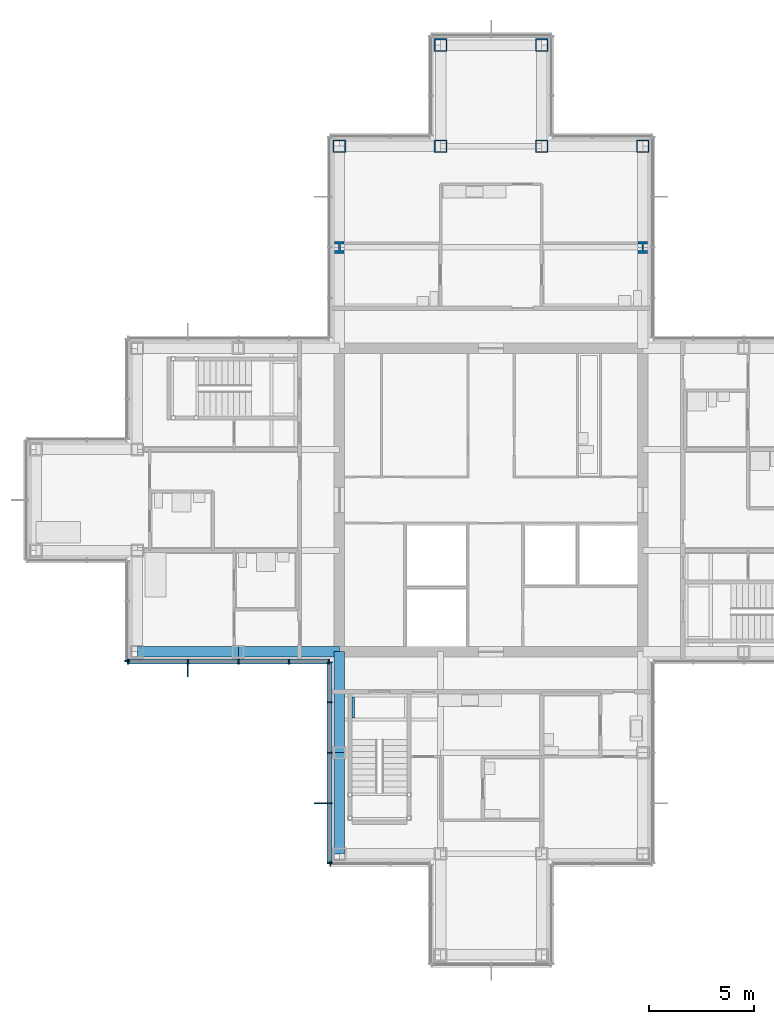
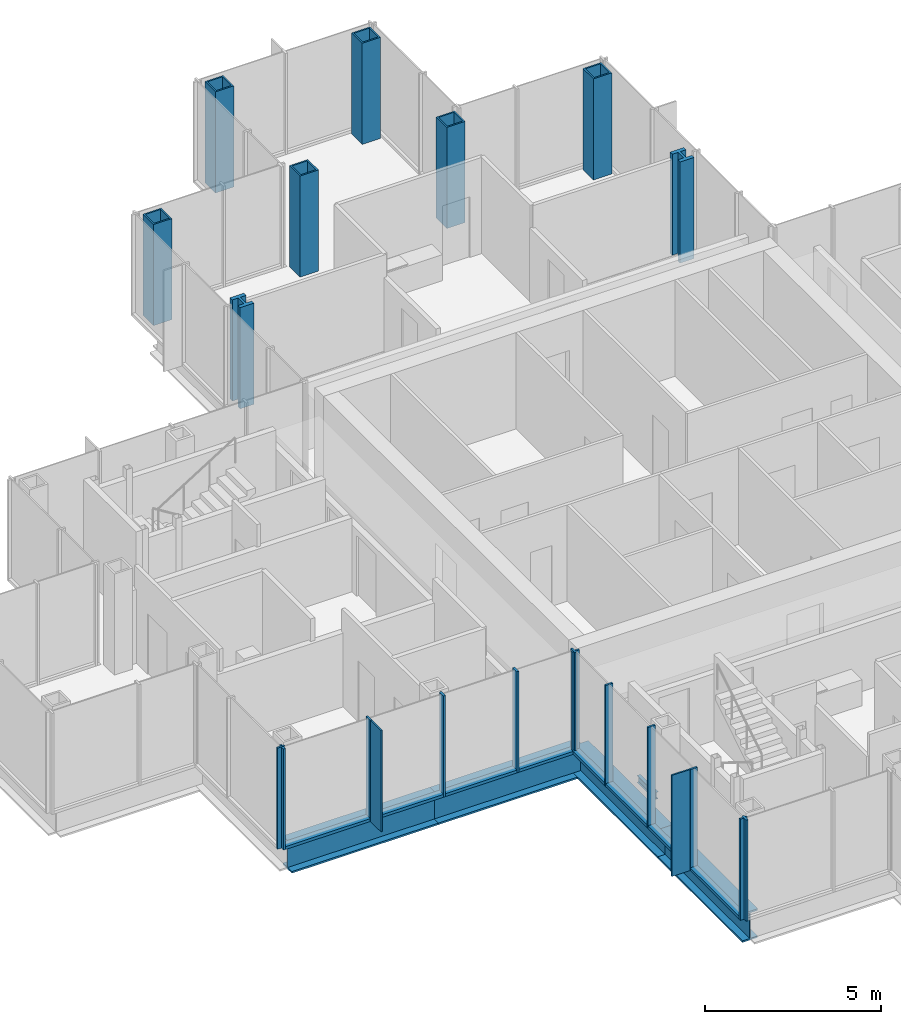
# One storey, part 5 of 17: 22 members, 8 columns, 5 beams, 4 elements without a shape of their own.
"""IFC4 building model written with IfcOpenShell, lengths in metres."""

from ifc_helpers import new_model, si_unit, direction, frame, origin, origin_2d, place, context, subcontext, project, spatial, rectangle, hollow_rectangle, i_section, extrude, material, material_profile, profile_set, type_object, element, aggregate, save


model = new_model("IFC4")

# Units and contexts
model_context = context("Model", 3, precision=1e-05, world=origin(), true_north=direction((0.0, 1.0)))
body_context = subcontext(model_context, "Body", "Model", "MODEL_VIEW")
ifc_project = project(units=[si_unit("LENGTHUNIT", "METRE"), si_unit("AREAUNIT", "SQUARE_METRE"), si_unit("VOLUMEUNIT", "CUBIC_METRE"), si_unit("PLANEANGLEUNIT", "RADIAN"), si_unit("MASSUNIT", "GRAM", prefix="KILO")], contexts=[model_context])

# Site, building, storey
site_placement = place(None, origin())
site = spatial("IfcSite", under=ifc_project, at=site_placement, CompositionType="ELEMENT")
building_placement = place(site_placement, origin())
building = spatial("IfcBuilding", under=site, at=building_placement, Name="Kvirike Care Tower", CompositionType="ELEMENT")
storey_placement = place(building_placement, frame((0.0, 0.0, 155.0)))
storey = spatial("IfcBuildingStorey", under=building, at=storey_placement, Name="L42", CompositionType="ELEMENT", Elevation=155.0)

# Columns
ifc_material_1 = material(Name="Steel S460", Category="steel")
ifc_material_profile_1 = material_profile(ifc_material_1, hollow_rectangle(XDim=0.60009765625, YDim=0.60009765625, WallThickness=0.050048828125, at=origin_2d()), Name="BX 600x600x50")
ifc_profile_set_1 = profile_set([ifc_material_profile_1], Name="Steel S460")
column_type_1 = type_object("IfcColumnType", Name="COLUMN BX 600x600x50", PredefinedType="COLUMN", material=ifc_profile_set_1)
for number, where, z_axis, x_axis, name in (
    (1, (14.39990234375, 52.800048828125, 0.0), (0.0, 0.0, 1.0), (0.0, 1.0, 0.0), "Column M6 L42"),
    (2, (19.199951171875, 52.800048828125, 0.0), (0.0, 0.0, 1.0), (0.0, 1.0, 0.0), "Column M7 L42"),
    (3, (19.199951171875, 57.60009765625, 0.0), (0.0, 0.0, 1.0), (0.0, 1.0, 0.0), "Column N7 L42"),
    (4, (24.0, 52.800048828125, 0.0), (0.0, 0.0, 1.0), (0.0, 1.0, 0.0), "Column M8 L42"),
    (5, (24.0, 57.60009765625, 0.0), (0.0, 0.0, 1.0), (0.0, 1.0, 0.0), "Column N8 L42"),
    (6, (28.800048828125, 52.800048828125, 0.0), (0.0, 0.0, 1.0), (0.0, 1.0, 0.0), "Column M9 L42"),
):
    element("IfcColumn", number, at=place(storey_placement, frame(where, z_axis=z_axis, x_axis=x_axis)), inside=storey, type_object=column_type_1, Name=name, PredefinedType="COLUMN", context=body_context, shape_type="SweptSolid", body=[
        extrude(hollow_rectangle(XDim=0.60009765625, YDim=0.60009765625, WallThickness=0.050048828125, at=origin_2d()), origin(), (0.0, 0.0, 1.0), 3.5),
    ])
ifc_material_2 = material(Name="Steel S460", Category="steel")
ifc_material_profile_2 = material_profile(ifc_material_2, i_section(OverallWidth=0.4541015625, OverallDepth=0.569091796875, WebThickness=0.077880859375, FlangeThickness=0.125, FilletRadius=0.014892578125, at=origin_2d()), Name="HD 400x1086")
ifc_profile_set_2 = profile_set([ifc_material_profile_2], Name="Steel S460")
column_type_2 = type_object("IfcColumnType", Name="COLUMN HD 400x1086", PredefinedType="COLUMN", material=ifc_profile_set_2)
for number, where, z_axis, x_axis, name in (
    (7, (14.39990234375, 48.0, 0.0), (0.0, 0.0, 1.0), (1.0, 0.0, 0.0), "Column L6 L42"),
    (8, (28.800048828125, 48.0, 0.0), (0.0, 0.0, 1.0), (1.0, 0.0, 0.0), "Column L9 L42"),
):
    element("IfcColumn", number, at=place(storey_placement, frame(where, z_axis=z_axis, x_axis=x_axis)), inside=storey, type_object=column_type_2, Name=name, PredefinedType="COLUMN", context=body_context, shape_type="SweptSolid", body=[
        extrude(i_section(OverallWidth=0.4541015625, OverallDepth=0.569091796875, WebThickness=0.077880859375, FlangeThickness=0.125, FilletRadius=0.014892578125, at=origin_2d()), origin(), (0.0, 0.0, 1.0), 3.5),
    ])

# Curtain wall, member
ifc_material_3 = material(Name="Anodised aluminium stick system", Category="aluminium")
curtain_wall_type = type_object("IfcCurtainWallType", Name="CW-C STICK CURTAIN WALL", PredefinedType="NOTDEFINED", material=ifc_material_3)
curtain_wall_1_placement = place(storey_placement, origin())
curtain_wall_1 = element("IfcCurtainWall", 9, at=curtain_wall_1_placement, inside=storey, type_object=curtain_wall_type, Name="Curtain wall L42 face 21", PredefinedType="NOTDEFINED")
ifc_material_4 = material(Name="Bronze anodised aluminium fin", Category="aluminium")
ifc_material_profile_3 = material_profile(ifc_material_4, rectangle(XDim=0.050048828125, YDim=0.60009765625, at=origin_2d()), Name="BRONZE FIN 600")
ifc_profile_set_3 = profile_set([ifc_material_profile_3], Name="Bronze anodised aluminium fin")
member_type_1 = type_object("IfcMemberType", Name="BRONZE FIN 600", PredefinedType="USERDEFINED", material=ifc_profile_set_3)
member_1_placement = place(storey_placement, frame((7.199951171875, 27.909912109375, 0.0), z_axis=(0.0, 0.0, 1.0), x_axis=(1.0, 0.0, 0.0)))
member_1 = element("IfcMember", 10, at=member_1_placement, type_object=member_type_1, Name="Bronze fin L42 face 21.2", ObjectType="FIN", PredefinedType="USERDEFINED", context=body_context, shape_type="SweptSolid", body=[
    extrude(rectangle(XDim=0.050048828125, YDim=0.60009765625, at=origin_2d()), origin(), (0.0, 0.0, 1.0), 3.5),
])

curtain_wall_2_placement = place(storey_placement, origin())
curtain_wall_2 = element("IfcCurtainWall", 11, at=curtain_wall_2_placement, inside=storey, type_object=curtain_wall_type, Name="Curtain wall L42 face 22", PredefinedType="NOTDEFINED")
member_2_placement = place(storey_placement, frame((13.510009765625, 21.60009765625, 0.0), z_axis=(0.0, 0.0, 1.0), x_axis=(0.0, -1.0, 0.0)))
member_2 = element("IfcMember", 12, at=member_2_placement, type_object=member_type_1, Name="Bronze fin L42 face 22.4", ObjectType="FIN", PredefinedType="USERDEFINED", context=body_context, shape_type="SweptSolid", body=[
    extrude(rectangle(XDim=0.050048828125, YDim=0.60009765625, at=origin_2d()), origin(), (0.0, 0.0, 1.0), 3.5),
])

curtain_wall_3_placement = place(storey_placement, origin())
curtain_wall_3 = element("IfcCurtainWall", 13, at=curtain_wall_3_placement, inside=storey, type_object=curtain_wall_type, Name="Curtain wall L42 face 20", PredefinedType="NOTDEFINED")
ifc_material_5 = material(Name="Bronze anodised aluminium mullion", Category="aluminium")
ifc_material_profile_4 = material_profile(ifc_material_5, rectangle(XDim=0.06494140625, YDim=0.239990234375, at=origin_2d()), Name="CW-C MULLION 65x240")
ifc_profile_set_4 = profile_set([ifc_material_profile_4], Name="Bronze anodised aluminium mullion")
member_type_2 = type_object("IfcMemberType", Name="CW-C MULLION 65x240", PredefinedType="MULLION", material=ifc_profile_set_4)
member_3_placement = place(storey_placement, frame((4.330078125, 28.362548828125, 0.0), z_axis=(0.0, 0.0, 1.0), x_axis=(0.0, -1.0, 0.0)))
member_3 = element("IfcMember", 14, at=member_3_placement, type_object=member_type_2, Name="CW-C mullion L42 face 20.3", PredefinedType="MULLION", context=body_context, shape_type="SweptSolid", body=[
    extrude(rectangle(XDim=0.06494140625, YDim=0.239990234375, at=origin_2d()), origin(), (0.0, 0.0, 1.0), 3.5),
])
aggregate(curtain_wall_3, [member_3])

# Member
member_4_placement = place(storey_placement, frame((4.362548828125, 28.330078125, 0.0), z_axis=(0.0, 0.0, 1.0), x_axis=(1.0, 0.0, 0.0)))
member_4 = element("IfcMember", 15, at=member_4_placement, type_object=member_type_2, Name="CW-C mullion L42 face 21.1", PredefinedType="MULLION", context=body_context, shape_type="SweptSolid", body=[
    extrude(rectangle(XDim=0.06494140625, YDim=0.239990234375, at=origin_2d()), origin(), (0.0, 0.0, 1.0), 3.5),
])

member_5_placement = place(storey_placement, frame((7.199951171875, 28.330078125, 0.0), z_axis=(0.0, 0.0, 1.0), x_axis=(1.0, 0.0, 0.0)))
member_5 = element("IfcMember", 16, at=member_5_placement, type_object=member_type_2, Name="CW-C mullion L42 face 21.2", PredefinedType="MULLION", context=body_context, shape_type="SweptSolid", body=[
    extrude(rectangle(XDim=0.06494140625, YDim=0.239990234375, at=origin_2d()), origin(), (0.0, 0.0, 1.0), 3.5),
])

member_6_placement = place(storey_placement, frame((9.60009765625, 28.330078125, 0.0), z_axis=(0.0, 0.0, 1.0), x_axis=(1.0, 0.0, 0.0)))
member_6 = element("IfcMember", 17, at=member_6_placement, type_object=member_type_2, Name="CW-C mullion L42 face 21.3", PredefinedType="MULLION", context=body_context, shape_type="SweptSolid", body=[
    extrude(rectangle(XDim=0.06494140625, YDim=0.239990234375, at=origin_2d()), origin(), (0.0, 0.0, 1.0), 3.5),
])

member_7_placement = place(storey_placement, frame((12.0, 28.330078125, 0.0), z_axis=(0.0, 0.0, 1.0), x_axis=(1.0, 0.0, 0.0)))
member_7 = element("IfcMember", 18, at=member_7_placement, type_object=member_type_2, Name="CW-C mullion L42 face 21.4", PredefinedType="MULLION", context=body_context, shape_type="SweptSolid", body=[
    extrude(rectangle(XDim=0.06494140625, YDim=0.239990234375, at=origin_2d()), origin(), (0.0, 0.0, 1.0), 3.5),
])

member_8_placement = place(storey_placement, frame((13.8974609375, 28.330078125, 0.0), z_axis=(0.0, 0.0, 1.0), x_axis=(1.0, 0.0, 0.0)))
member_8 = element("IfcMember", 19, at=member_8_placement, type_object=member_type_2, Name="CW-C mullion L42 face 21.5", PredefinedType="MULLION", context=body_context, shape_type="SweptSolid", body=[
    extrude(rectangle(XDim=0.06494140625, YDim=0.239990234375, at=origin_2d()), origin(), (0.0, 0.0, 1.0), 3.5),
])

member_9_placement = place(storey_placement, frame((13.929931640625, 28.297607421875, 0.0), z_axis=(0.0, 0.0, 1.0), x_axis=(0.0, -1.0, 0.0)))
member_9 = element("IfcMember", 20, at=member_9_placement, type_object=member_type_2, Name="CW-C mullion L42 face 22.1", PredefinedType="MULLION", context=body_context, shape_type="SweptSolid", body=[
    extrude(rectangle(XDim=0.06494140625, YDim=0.239990234375, at=origin_2d()), origin(), (0.0, 0.0, 1.0), 3.5),
])

member_10_placement = place(storey_placement, frame((13.929931640625, 26.39990234375, 0.0), z_axis=(0.0, 0.0, 1.0), x_axis=(0.0, -1.0, 0.0)))
member_10 = element("IfcMember", 21, at=member_10_placement, type_object=member_type_2, Name="CW-C mullion L42 face 22.2", PredefinedType="MULLION", context=body_context, shape_type="SweptSolid", body=[
    extrude(rectangle(XDim=0.06494140625, YDim=0.239990234375, at=origin_2d()), origin(), (0.0, 0.0, 1.0), 3.5),
])

member_11_placement = place(storey_placement, frame((13.929931640625, 24.0, 0.0), z_axis=(0.0, 0.0, 1.0), x_axis=(0.0, -1.0, 0.0)))
member_11 = element("IfcMember", 22, at=member_11_placement, type_object=member_type_2, Name="CW-C mullion L42 face 22.3", PredefinedType="MULLION", context=body_context, shape_type="SweptSolid", body=[
    extrude(rectangle(XDim=0.06494140625, YDim=0.239990234375, at=origin_2d()), origin(), (0.0, 0.0, 1.0), 3.5),
])

member_12_placement = place(storey_placement, frame((13.929931640625, 21.60009765625, 0.0), z_axis=(0.0, 0.0, 1.0), x_axis=(0.0, -1.0, 0.0)))
member_12 = element("IfcMember", 23, at=member_12_placement, type_object=member_type_2, Name="CW-C mullion L42 face 22.4", PredefinedType="MULLION", context=body_context, shape_type="SweptSolid", body=[
    extrude(rectangle(XDim=0.06494140625, YDim=0.239990234375, at=origin_2d()), origin(), (0.0, 0.0, 1.0), 3.5),
])

member_13_placement = place(storey_placement, frame((13.929931640625, 18.762451171875, 0.0), z_axis=(0.0, 0.0, 1.0), x_axis=(0.0, -1.0, 0.0)))
member_13 = element("IfcMember", 24, at=member_13_placement, type_object=member_type_2, Name="CW-C mullion L42 face 22.5", PredefinedType="MULLION", context=body_context, shape_type="SweptSolid", body=[
    extrude(rectangle(XDim=0.06494140625, YDim=0.239990234375, at=origin_2d()), origin(), (0.0, 0.0, 1.0), 3.5),
])

# Curtain wall, member
curtain_wall_4_placement = place(storey_placement, origin())
curtain_wall_4 = element("IfcCurtainWall", 25, at=curtain_wall_4_placement, inside=storey, type_object=curtain_wall_type, Name="Curtain wall L42 face 23", PredefinedType="NOTDEFINED")
member_14_placement = place(storey_placement, frame((13.96240234375, 18.72998046875, 0.0), z_axis=(0.0, 0.0, 1.0), x_axis=(1.0, 0.0, 0.0)))
member_14 = element("IfcMember", 26, at=member_14_placement, type_object=member_type_2, Name="CW-C mullion L42 face 23.1", PredefinedType="MULLION", context=body_context, shape_type="SweptSolid", body=[
    extrude(rectangle(XDim=0.06494140625, YDim=0.239990234375, at=origin_2d()), origin(), (0.0, 0.0, 1.0), 3.5),
])
aggregate(curtain_wall_4, [member_14])

# Member
ifc_material_6 = material(Name="Bronze anodised aluminium transom", Category="aluminium")
ifc_material_profile_5 = material_profile(ifc_material_6, rectangle(XDim=0.239990234375, YDim=0.10009765625, at=origin_2d()), Name="CW-C TRANSOM 240x100")
ifc_profile_set_5 = profile_set([ifc_material_profile_5], Name="Bronze anodised aluminium transom")
member_type_3 = type_object("IfcMemberType", Name="CW-C TRANSOM 240x100", PredefinedType="USERDEFINED", material=ifc_profile_set_5)
member_15_placement = place(storey_placement, frame((4.39501953125, 28.330078125, 0.050048828125), z_axis=(1.0, 0.0, 0.0), x_axis=(0.0, 1.0, 0.0)))
member_15 = element("IfcMember", 27, at=member_15_placement, type_object=member_type_3, Name="CW-C sill transom L42 face 21.1", ObjectType="TRANSOM", PredefinedType="USERDEFINED", context=body_context, shape_type="SweptSolid", body=[
    extrude(rectangle(XDim=0.239990234375, YDim=0.10009765625, at=origin_2d()), origin(), (0.0, 0.0, 1.0), 2.7724609375),
])

member_16_placement = place(storey_placement, frame((7.232421875, 28.330078125, 0.050048828125), z_axis=(1.0, 0.0, 0.0), x_axis=(0.0, 1.0, 0.0)))
member_16 = element("IfcMember", 28, at=member_16_placement, type_object=member_type_3, Name="CW-C sill transom L42 face 21.2", ObjectType="TRANSOM", PredefinedType="USERDEFINED", context=body_context, shape_type="SweptSolid", body=[
    extrude(rectangle(XDim=0.239990234375, YDim=0.10009765625, at=origin_2d()), origin(), (0.0, 0.0, 1.0), 2.3349609375),
])

member_17_placement = place(storey_placement, frame((9.632568359375, 28.330078125, 0.050048828125), z_axis=(1.0, 0.0, 0.0), x_axis=(0.0, 1.0, 0.0)))
member_17 = element("IfcMember", 29, at=member_17_placement, type_object=member_type_3, Name="CW-C sill transom L42 face 21.3", ObjectType="TRANSOM", PredefinedType="USERDEFINED", context=body_context, shape_type="SweptSolid", body=[
    extrude(rectangle(XDim=0.239990234375, YDim=0.10009765625, at=origin_2d()), origin(), (0.0, 0.0, 1.0), 2.3349609375),
])

member_18_placement = place(storey_placement, frame((12.032470703125, 28.330078125, 0.050048828125), z_axis=(1.0, 0.0, 0.0), x_axis=(0.0, 1.0, 0.0)))
member_18 = element("IfcMember", 30, at=member_18_placement, type_object=member_type_3, Name="CW-C sill transom L42 face 21.4", ObjectType="TRANSOM", PredefinedType="USERDEFINED", context=body_context, shape_type="SweptSolid", body=[
    extrude(rectangle(XDim=0.239990234375, YDim=0.10009765625, at=origin_2d()), origin(), (0.0, 0.0, 1.0), 1.83251953125),
])

aggregate(curtain_wall_1, [member_4, member_5, member_1, member_6, member_7, member_8, member_15, member_16, member_17, member_18])

member_19_placement = place(storey_placement, frame((13.929931640625, 28.264892578125, 0.050048828125), z_axis=(0.0, -1.0, 0.0), x_axis=(1.0, 0.0, 0.0)))
member_19 = element("IfcMember", 31, at=member_19_placement, type_object=member_type_3, Name="CW-C sill transom L42 face 22.1", ObjectType="TRANSOM", PredefinedType="USERDEFINED", context=body_context, shape_type="SweptSolid", body=[
    extrude(rectangle(XDim=0.239990234375, YDim=0.10009765625, at=origin_2d()), origin(), (0.0, 0.0, 1.0), 1.832275390625),
])

member_20_placement = place(storey_placement, frame((13.929931640625, 26.367431640625, 0.050048828125), z_axis=(0.0, -1.0, 0.0), x_axis=(1.0, 0.0, 0.0)))
member_20 = element("IfcMember", 32, at=member_20_placement, type_object=member_type_3, Name="CW-C sill transom L42 face 22.2", ObjectType="TRANSOM", PredefinedType="USERDEFINED", context=body_context, shape_type="SweptSolid", body=[
    extrude(rectangle(XDim=0.239990234375, YDim=0.10009765625, at=origin_2d()), origin(), (0.0, 0.0, 1.0), 2.3349609375),
])

member_21_placement = place(storey_placement, frame((13.929931640625, 23.967529296875, 0.050048828125), z_axis=(0.0, -1.0, 0.0), x_axis=(1.0, 0.0, 0.0)))
member_21 = element("IfcMember", 33, at=member_21_placement, type_object=member_type_3, Name="CW-C sill transom L42 face 22.3", ObjectType="TRANSOM", PredefinedType="USERDEFINED", context=body_context, shape_type="SweptSolid", body=[
    extrude(rectangle(XDim=0.239990234375, YDim=0.10009765625, at=origin_2d()), origin(), (0.0, 0.0, 1.0), 2.3349609375),
])

member_22_placement = place(storey_placement, frame((13.929931640625, 21.5673828125, 0.050048828125), z_axis=(0.0, -1.0, 0.0), x_axis=(1.0, 0.0, 0.0)))
member_22 = element("IfcMember", 34, at=member_22_placement, type_object=member_type_3, Name="CW-C sill transom L42 face 22.4", ObjectType="TRANSOM", PredefinedType="USERDEFINED", context=body_context, shape_type="SweptSolid", body=[
    extrude(rectangle(XDim=0.239990234375, YDim=0.10009765625, at=origin_2d()), origin(), (0.0, 0.0, 1.0), 2.7724609375),
])

aggregate(curtain_wall_2, [member_9, member_10, member_11, member_12, member_2, member_13, member_19, member_20, member_21, member_22])

# Beams
ifc_material_7 = material(Name="Steel S355", Category="steel")
ifc_material_profile_6 = material_profile(ifc_material_7, i_section(OverallWidth=0.5, OverallDepth=1.0, WebThickness=0.030029296875, FlangeThickness=0.06005859375, at=origin_2d()), Name="PG 1000x500x30x60")
ifc_profile_set_6 = profile_set([ifc_material_profile_6], Name="Steel S355")
beam_type_1 = type_object("IfcBeamType", Name="SPANDREL PG 1000x500x30x60", PredefinedType="SPANDREL", material=ifc_profile_set_6)
beam_1_placement = place(storey_placement, frame((4.800048828125, 28.800048828125, -0.669921875), z_axis=(1.0, 0.0, 0.0), x_axis=(0.0, 1.0, 0.0)))
element("IfcBeam", 35, at=beam_1_placement, inside=storey, type_object=beam_type_1, Name="Spandrel G4-G5 L42", PredefinedType="SPANDREL", context=body_context, shape_type="SweptSolid", body=[
    extrude(i_section(OverallWidth=0.5, OverallDepth=1.0, WebThickness=0.030029296875, FlangeThickness=0.06005859375, at=origin_2d()), origin(), (0.0, 0.0, 1.0), 4.800048828125),
])
beam_2_placement = place(storey_placement, frame((9.60009765625, 28.800048828125, -0.669921875), z_axis=(1.0, 0.0, 0.0), x_axis=(0.0, 1.0, 0.0)))
element("IfcBeam", 36, at=beam_2_placement, inside=storey, type_object=beam_type_1, Name="Spandrel G5-G6 L42", PredefinedType="SPANDREL", context=body_context, shape_type="SweptSolid", body=[
    extrude(i_section(OverallWidth=0.5, OverallDepth=1.0, WebThickness=0.030029296875, FlangeThickness=0.06005859375, at=origin_2d()), origin(), (0.0, 0.0, 1.0), 4.7998046875),
])
for number, where, z_axis, x_axis, name in (
    (37, (14.39990234375, 19.199951171875, -0.669921875), (0.0, 1.0, 0.0), (-1.0, 0.0, 0.0), "Spandrel E6-F6 L42"),
    (38, (14.39990234375, 24.0, -0.669921875), (0.0, 1.0, 0.0), (-1.0, 0.0, 0.0), "Spandrel F6-G6 L42"),
):
    element("IfcBeam", number, at=place(storey_placement, frame(where, z_axis=z_axis, x_axis=x_axis)), inside=storey, type_object=beam_type_1, Name=name, PredefinedType="SPANDREL", context=body_context, shape_type="SweptSolid", body=[
        extrude(i_section(OverallWidth=0.5, OverallDepth=1.0, WebThickness=0.030029296875, FlangeThickness=0.06005859375, at=origin_2d()), origin(), (0.0, 0.0, 1.0), 4.800048828125),
    ])
ifc_material_8 = material(Name="Steel S355", Category="steel")
ifc_material_profile_7 = material_profile(ifc_material_8, i_section(OverallWidth=0.1201171875, OverallDepth=0.239990234375, WebThickness=0.006103515625, FlangeThickness=0.009765625, FilletRadius=0.014892578125, at=origin_2d()), Name="IPE 240")
ifc_profile_set_7 = profile_set([ifc_material_profile_7], Name="Steel S355")
beam_type_2 = type_object("IfcBeamType", Name="STAIR LANDING BEAM IPE 240", PredefinedType="BEAM", material=ifc_profile_set_7)
beam_3_placement = place(storey_placement, frame((15.06005859375, 25.64990234375, -0.320068359375), z_axis=(0.0, 1.0, 0.0), x_axis=(-1.0, 0.0, 0.0)))
element("IfcBeam", 39, at=beam_3_placement, inside=storey, type_object=beam_type_2, Name="Stair 5 landing edge beam 1 L42", PredefinedType="BEAM", context=body_context, shape_type="SweptSolid", body=[
    extrude(i_section(OverallWidth=0.1201171875, OverallDepth=0.239990234375, WebThickness=0.006103515625, FlangeThickness=0.009765625, FilletRadius=0.014892578125, at=origin_2d()), origin(), (0.0, 0.0, 1.0), 1.0),
])

save(model, "model.ifc")
